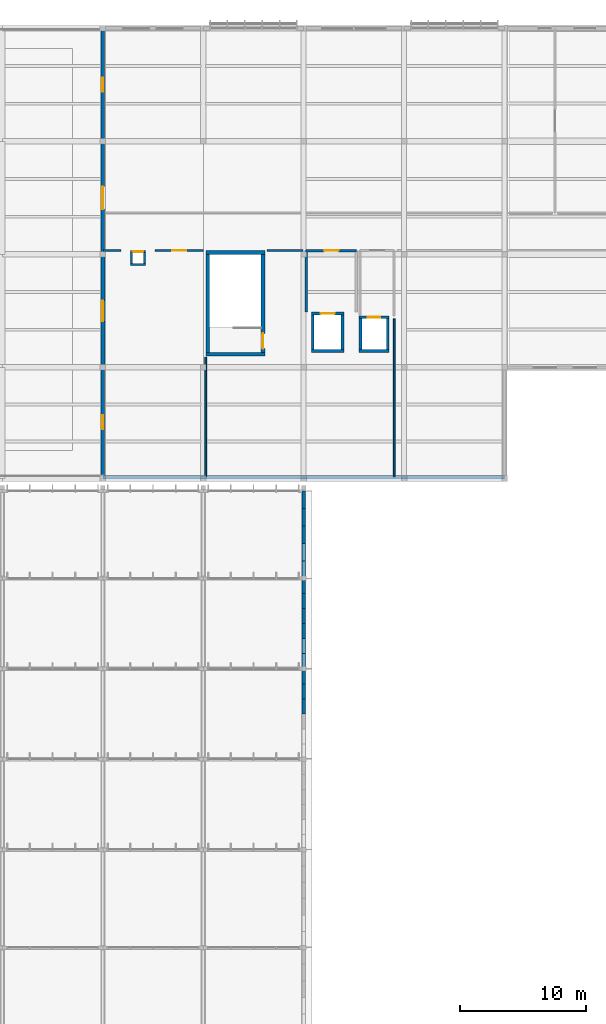
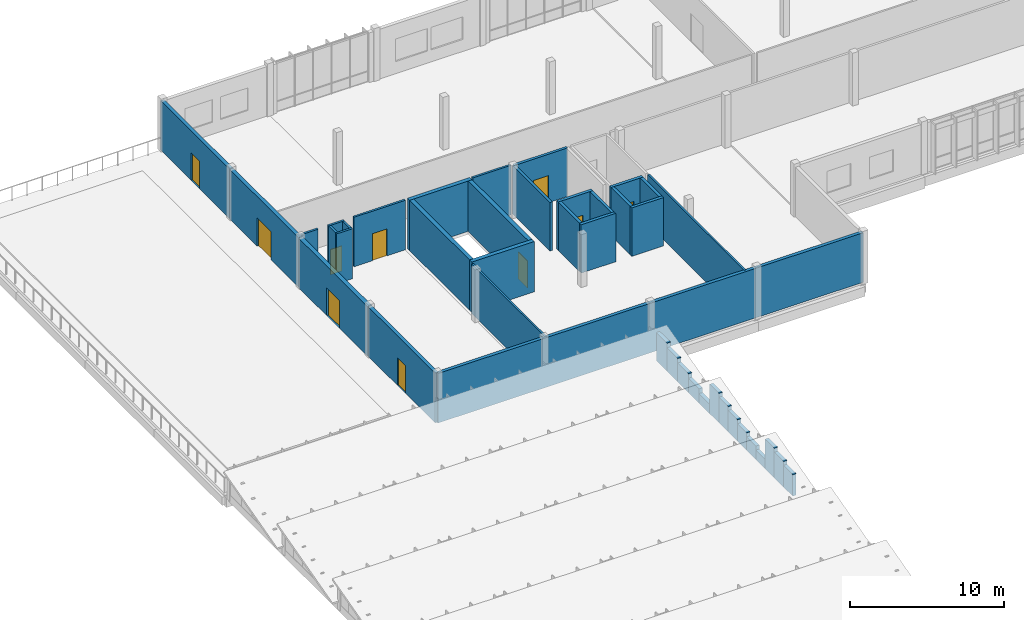
# One storey, part 84 of 94: 42 walls, 10 doors, 10 openings.
"""IFC4 building model written with IfcOpenShell, lengths in metres."""

from ifc_helpers import new_model, si_unit, direction, frame, frame_2d, origin, place, context, subcontext, project, spatial, rectangle, extrude, material, layer, layer_set, type_object, element, fill, save


model = new_model("IFC4")

# Units and contexts
model_context = context("Model", 3, precision=1e-05, world=origin(), true_north=direction((0.0, 1.0)))
body_context = subcontext(model_context, "Body", "Model", "MODEL_VIEW")
ifc_project = project(units=[si_unit("LENGTHUNIT", "METRE"), si_unit("AREAUNIT", "SQUARE_METRE"), si_unit("VOLUMEUNIT", "CUBIC_METRE"), si_unit("PLANEANGLEUNIT", "RADIAN"), si_unit("MASSUNIT", "GRAM", prefix="KILO")], contexts=[model_context])

# Site, building, storey
site_placement = place(None, origin())
site = spatial("IfcSite", under=ifc_project, at=site_placement, CompositionType="ELEMENT")
building_placement = place(site_placement, origin())
building = spatial("IfcBuilding", under=site, at=building_placement, Name="Chiffa Square Polytechnic", CompositionType="ELEMENT")
storey_placement = place(building_placement, frame((0.0, 0.0, 18.0)))
storey = spatial("IfcBuildingStorey", under=building, at=storey_placement, Name="L04", CompositionType="ELEMENT", Elevation=18.0)

# Walls
ifc_material_1 = material(Name="Concrete C40/50", Category="concrete")
ifc_layer_1 = layer(ifc_material_1, 0.300048828125, Name="Concrete C40/50")
ifc_layer_set_1 = layer_set([ifc_layer_1], Name="Concrete C40/50")
wall_type_1 = type_object("IfcWallType", Name="WL-CORE-300", PredefinedType="SHEAR", material=ifc_layer_set_1)
for number, where, z_axis, x_axis, name in (
    (1, (24.199951171875, 104.85009765625, 0.0), (0.0, 0.0, 1.0), (1.0, 0.0, 0.0), "Core or enclosure wall WC-CORE-V5A-L04-SOUTH"),
    (2, (24.199951171875, 112.949951171875, 0.0), (0.0, 0.0, 1.0), (1.0, 0.0, 0.0), "Core or enclosure wall WC-CORE-V5A-L04-NORTH"),
):
    element("IfcWall", number, at=place(storey_placement, frame(where, z_axis=z_axis, x_axis=x_axis)), inside=storey, type_object=wall_type_1, Name=name, PredefinedType="SHEAR", context=body_context, shape_type="SweptSolid", body=[
        extrude(rectangle(XDim=4.699951171875, YDim=0.300048828125, at=frame_2d((2.35009765625, 0.0))), origin(), (0.0, 0.0, 1.0), 4.0),
    ])
wall_1_placement = place(storey_placement, frame((24.35009765625, 105.0, 0.0), z_axis=(0.0, 0.0, 1.0), x_axis=(0.0, 1.0, 0.0)))
element("IfcWall", 3, at=wall_1_placement, inside=storey, type_object=wall_type_1, Name="Core or enclosure wall WC-CORE-V5A-L04-WEST", PredefinedType="SHEAR", context=body_context, shape_type="SweptSolid", body=[
    extrude(rectangle(XDim=7.800048828125, YDim=0.300048828125, at=frame_2d((3.89990234375, 0.0))), origin(), (0.0, 0.0, 1.0), 4.0),
])

# Wall, opening, door
wall_2_placement = place(storey_placement, frame((28.75, 105.0, 0.0), z_axis=(0.0, 0.0, 1.0), x_axis=(0.0, 1.0, 0.0)))
wall_2 = element("IfcWall", 4, at=wall_2_placement, inside=storey, type_object=wall_type_1, Name="Core or enclosure wall WC-CORE-V5A-L04-EAST", PredefinedType="SHEAR", context=body_context, shape_type="SweptSolid", body=[
    extrude(rectangle(XDim=7.800048828125, YDim=0.300048828125, at=frame_2d((3.89990234375, 0.0))), origin(), (0.0, 0.0, 1.0), 4.0),
])
opening_1_placement = place(wall_2_placement, frame((0.300048828125, 0.0, 0.0)))
opening_1 = element("IfcOpeningElement", 5, at=opening_1_placement, cuts=wall_2, Name="Opening DS-L04-036", PredefinedType="OPENING", context=body_context, shape_type="SweptSolid", body=[
    extrude(rectangle(XDim=1.199951171875, YDim=2.14990234375, at=frame_2d((0.60009765625, 1.074951171875))), frame((0.0, 0.16015625, 0.0), z_axis=(0.0, -1.0, 0.0), x_axis=(1.0, 0.0, 0.0)), (0.0, 0.0, 1.0), 0.320068359375),
])
ifc_material_2 = material(Name="Fire-rated painted steel leaf", Category="steel")
door_type_1 = type_object("IfcDoorType", Name="DR-STAIR-1200", OperationType="NOTDEFINED", PredefinedType="DOOR", material=ifc_material_2)
door_1_placement = place(opening_1_placement, origin())
door_1 = element("IfcDoor", 6, at=door_1_placement, inside=storey, type_object=door_type_1, Name="Enclosure door DS-L04-036", OperationType="SINGLE_SWING_RIGHT", OverallHeight=2.14990234375, OverallWidth=1.199951171875, PredefinedType="DOOR", context=body_context, shape_type="SweptSolid", body=[
    extrude(rectangle(XDim=1.199951171875, YDim=2.14990234375, at=frame_2d((0.60009765625, 1.074951171875))), frame((0.0, 0.02490234375, 0.0), z_axis=(0.0, -1.0, 0.0), x_axis=(1.0, 0.0, 0.0)), (0.0, 0.0, 1.0), 0.050048828125),
])
fill(opening_1, door_1)

ifc_material_3 = material(Name="Precast concrete C40/50", Category="concrete")
ifc_layer_2 = layer(ifc_material_3, 0.260009765625, Name="Precast concrete C40/50")
ifc_layer_set_2 = layer_set([ifc_layer_2], Name="Precast concrete C40/50")
wall_type_2 = type_object("IfcWallType", Name="WL-EXT-PC260", PredefinedType="SOLIDWALL", material=ifc_layer_set_2)
wall_3_placement = place(storey_placement, frame((16.0, 130.800048828125, 0.0), z_axis=(0.0, 0.0, 1.0), x_axis=(0.0, -1.0, 0.0)))
wall_3 = element("IfcWall", 7, at=wall_3_placement, inside=storey, type_object=wall_type_2, Name="Exterior wall WE-V5-L04-0386", PredefinedType="SOLIDWALL", context=body_context, shape_type="SweptSolid", body=[
    extrude(rectangle(XDim=9.0, YDim=0.260009765625, at=frame_2d((4.5, 0.0))), origin(), (0.0, 0.0, 1.0), 3.93994140625),
])
opening_2_placement = place(wall_3_placement, frame((3.949951171875, 0.0, 0.0)))
opening_2 = element("IfcOpeningElement", 8, at=opening_2_placement, cuts=wall_3, Name="Opening DT-L04-062", PredefinedType="OPENING", context=body_context, shape_type="SweptSolid", body=[
    extrude(rectangle(XDim=1.10009765625, YDim=2.199951171875, at=frame_2d((0.550048828125, 1.10009765625))), frame((0.0, 0.14013671875, 0.0), z_axis=(0.0, -1.0, 0.0), x_axis=(1.0, 0.0, 0.0)), (0.0, 0.0, 1.0), 0.280029296875),
])
ifc_material_4 = material(Name="Thermally broken aluminium glazed door", Category="aluminium")
door_type_2 = type_object("IfcDoorType", Name="DR-TERR-SGL-1100", OperationType="NOTDEFINED", PredefinedType="DOOR", material=ifc_material_4)
door_2_placement = place(opening_2_placement, origin())
door_2 = element("IfcDoor", 9, at=door_2_placement, inside=storey, type_object=door_type_2, Name="Exterior door DT-L04-062", OperationType="SINGLE_SWING_LEFT", OverallHeight=2.199951171875, OverallWidth=1.10009765625, PredefinedType="DOOR", context=body_context, shape_type="SweptSolid", body=[
    extrude(rectangle(XDim=1.10009765625, YDim=2.199951171875, at=frame_2d((0.550048828125, 1.10009765625))), frame((0.0, 0.02490234375, 0.0), z_axis=(0.0, -1.0, 0.0), x_axis=(1.0, 0.0, 0.0)), (0.0, 0.0, 1.0), 0.050048828125),
])
fill(opening_2, door_2)

wall_4_placement = place(storey_placement, frame((16.0, 103.800048828125, 0.0), z_axis=(0.0, 0.0, 1.0), x_axis=(0.0, -1.0, 0.0)))
wall_4 = element("IfcWall", 10, at=wall_4_placement, inside=storey, type_object=wall_type_2, Name="Exterior wall WE-V5-L04-0389", PredefinedType="SOLIDWALL", context=body_context, shape_type="SweptSolid", body=[
    extrude(rectangle(XDim=8.75, YDim=0.260009765625, at=frame_2d((4.375, 0.0))), origin(), (0.0, 0.0, 1.0), 3.93994140625),
])
opening_3_placement = place(wall_4_placement, frame((3.824951171875, 0.0, 0.0)))
opening_3 = element("IfcOpeningElement", 11, at=opening_3_placement, cuts=wall_4, Name="Opening DT-L04-065", PredefinedType="OPENING", context=body_context, shape_type="SweptSolid", body=[
    extrude(rectangle(XDim=1.10009765625, YDim=2.199951171875, at=frame_2d((0.550048828125, 1.10009765625))), frame((0.0, 0.14013671875, 0.0), z_axis=(0.0, -1.0, 0.0), x_axis=(1.0, 0.0, 0.0)), (0.0, 0.0, 1.0), 0.280029296875),
])
door_3_placement = place(opening_3_placement, origin())
door_3 = element("IfcDoor", 12, at=door_3_placement, inside=storey, type_object=door_type_2, Name="Exterior door DT-L04-065", OperationType="SINGLE_SWING_RIGHT", OverallHeight=2.199951171875, OverallWidth=1.10009765625, PredefinedType="DOOR", context=body_context, shape_type="SweptSolid", body=[
    extrude(rectangle(XDim=1.10009765625, YDim=2.199951171875, at=frame_2d((0.550048828125, 1.10009765625))), frame((0.0, 0.02490234375, 0.0), z_axis=(0.0, -1.0, 0.0), x_axis=(1.0, 0.0, 0.0)), (0.0, 0.0, 1.0), 0.050048828125),
])
fill(opening_3, door_3)

# Walls
wall_5_placement = place(storey_placement, frame((32.0, 76.199951171875, 0.0), z_axis=(0.0, 0.0, 1.0), x_axis=(0.0, 1.0, 0.0)))
element("IfcWall", 13, at=wall_5_placement, inside=storey, type_object=wall_type_2, Name="Stepped gable infill wall WE-V6-SAWE-06-04", PredefinedType="SOLIDWALL", context=body_context, shape_type="SweptSolid", body=[
    extrude(rectangle(XDim=1.199951171875, YDim=0.260009765625, at=frame_2d((0.60009765625, 0.0))), origin(), (0.0, 0.0, 1.0), 1.712890625),
])
wall_6_placement = place(storey_placement, frame((32.0, 77.39990234375, 0.0), z_axis=(0.0, 0.0, 1.0), x_axis=(0.0, 1.0, 0.0)))
element("IfcWall", 14, at=wall_6_placement, inside=storey, type_object=wall_type_2, Name="Stepped gable infill wall WE-V6-SAWE-06-05", PredefinedType="SOLIDWALL", context=body_context, shape_type="SweptSolid", body=[
    extrude(rectangle(XDim=1.2001953125, YDim=0.260009765625, at=frame_2d((0.60009765625, 0.0))), origin(), (0.0, 0.0, 1.0), 2.033935546875),
])
wall_7_placement = place(storey_placement, frame((32.0, 78.60009765625, 0.0), z_axis=(0.0, 0.0, 1.0), x_axis=(0.0, 1.0, 0.0)))
element("IfcWall", 15, at=wall_7_placement, inside=storey, type_object=wall_type_2, Name="Stepped gable infill wall WE-V6-SAWE-06-06", PredefinedType="SOLIDWALL", context=body_context, shape_type="SweptSolid", body=[
    extrude(rectangle(XDim=1.199951171875, YDim=0.260009765625, at=frame_2d((0.60009765625, 0.0))), origin(), (0.0, 0.0, 1.0), 2.35595703125),
])
wall_8_placement = place(storey_placement, frame((32.0, 79.800048828125, 0.0), z_axis=(0.0, 0.0, 1.0), x_axis=(0.0, 1.0, 0.0)))
element("IfcWall", 16, at=wall_8_placement, inside=storey, type_object=wall_type_2, Name="Stepped gable infill wall WE-V6-SAWE-07-01", PredefinedType="SOLIDWALL", context=body_context, shape_type="SweptSolid", body=[
    extrude(rectangle(XDim=1.199951171875, YDim=0.260009765625, at=frame_2d((0.60009765625, 0.0))), origin(), (0.0, 0.0, 1.0), 0.748046875),
])
wall_9_placement = place(storey_placement, frame((32.0, 81.0, 0.0), z_axis=(0.0, 0.0, 1.0), x_axis=(0.0, 1.0, 0.0)))
element("IfcWall", 17, at=wall_9_placement, inside=storey, type_object=wall_type_2, Name="Stepped gable infill wall WE-V6-SAWE-07-02", PredefinedType="SOLIDWALL", context=body_context, shape_type="SweptSolid", body=[
    extrude(rectangle(XDim=1.199951171875, YDim=0.260009765625, at=frame_2d((0.60009765625, 0.0))), origin(), (0.0, 0.0, 1.0), 1.070068359375),
])
wall_10_placement = place(storey_placement, frame((32.0, 82.199951171875, 0.0), z_axis=(0.0, 0.0, 1.0), x_axis=(0.0, 1.0, 0.0)))
element("IfcWall", 18, at=wall_10_placement, inside=storey, type_object=wall_type_2, Name="Stepped gable infill wall WE-V6-SAWE-07-03", PredefinedType="SOLIDWALL", context=body_context, shape_type="SweptSolid", body=[
    extrude(rectangle(XDim=1.199951171875, YDim=0.260009765625, at=frame_2d((0.60009765625, 0.0))), origin(), (0.0, 0.0, 1.0), 1.39111328125),
])
wall_11_placement = place(storey_placement, frame((32.0, 83.39990234375, 0.0), z_axis=(0.0, 0.0, 1.0), x_axis=(0.0, 1.0, 0.0)))
element("IfcWall", 19, at=wall_11_placement, inside=storey, type_object=wall_type_2, Name="Stepped gable infill wall WE-V6-SAWE-07-04", PredefinedType="SOLIDWALL", context=body_context, shape_type="SweptSolid", body=[
    extrude(rectangle(XDim=1.2001953125, YDim=0.260009765625, at=frame_2d((0.60009765625, 0.0))), origin(), (0.0, 0.0, 1.0), 1.712890625),
])
wall_12_placement = place(storey_placement, frame((32.0, 84.60009765625, 0.0), z_axis=(0.0, 0.0, 1.0), x_axis=(0.0, 1.0, 0.0)))
element("IfcWall", 20, at=wall_12_placement, inside=storey, type_object=wall_type_2, Name="Stepped gable infill wall WE-V6-SAWE-07-05", PredefinedType="SOLIDWALL", context=body_context, shape_type="SweptSolid", body=[
    extrude(rectangle(XDim=1.199951171875, YDim=0.260009765625, at=frame_2d((0.60009765625, 0.0))), origin(), (0.0, 0.0, 1.0), 2.033935546875),
])
wall_13_placement = place(storey_placement, frame((32.0, 85.800048828125, 0.0), z_axis=(0.0, 0.0, 1.0), x_axis=(0.0, 1.0, 0.0)))
element("IfcWall", 21, at=wall_13_placement, inside=storey, type_object=wall_type_2, Name="Stepped gable infill wall WE-V6-SAWE-07-06", PredefinedType="SOLIDWALL", context=body_context, shape_type="SweptSolid", body=[
    extrude(rectangle(XDim=1.199951171875, YDim=0.260009765625, at=frame_2d((0.60009765625, 0.0))), origin(), (0.0, 0.0, 1.0), 2.35595703125),
])
wall_14_placement = place(storey_placement, frame((32.0, 87.0, 0.0), z_axis=(0.0, 0.0, 1.0), x_axis=(0.0, 1.0, 0.0)))
element("IfcWall", 22, at=wall_14_placement, inside=storey, type_object=wall_type_2, Name="Stepped gable infill wall WE-V6-SAWE-08-01", PredefinedType="SOLIDWALL", context=body_context, shape_type="SweptSolid", body=[
    extrude(rectangle(XDim=1.389892578125, YDim=0.260009765625, at=frame_2d((0.69482421875, 0.0))), origin(), (0.0, 0.0, 1.0), 0.756103515625),
])
wall_15_placement = place(storey_placement, frame((32.0, 88.389892578125, 0.0), z_axis=(0.0, 0.0, 1.0), x_axis=(0.0, 1.0, 0.0)))
element("IfcWall", 23, at=wall_15_placement, inside=storey, type_object=wall_type_2, Name="Stepped gable infill wall WE-V6-SAWE-08-02", PredefinedType="SOLIDWALL", context=body_context, shape_type="SweptSolid", body=[
    extrude(rectangle(XDim=1.39013671875, YDim=0.260009765625, at=frame_2d((0.695068359375, 0.0))), origin(), (0.0, 0.0, 1.0), 1.1279296875),
])
wall_16_placement = place(storey_placement, frame((32.0, 89.780029296875, 0.0), z_axis=(0.0, 0.0, 1.0), x_axis=(0.0, 1.0, 0.0)))
element("IfcWall", 24, at=wall_16_placement, inside=storey, type_object=wall_type_2, Name="Stepped gable infill wall WE-V6-SAWE-08-03", PredefinedType="SOLIDWALL", context=body_context, shape_type="SweptSolid", body=[
    extrude(rectangle(XDim=1.389892578125, YDim=0.260009765625, at=frame_2d((0.69482421875, 0.0))), origin(), (0.0, 0.0, 1.0), 1.5009765625),
])
wall_17_placement = place(storey_placement, frame((32.0, 91.169921875, 0.0), z_axis=(0.0, 0.0, 1.0), x_axis=(0.0, 1.0, 0.0)))
element("IfcWall", 25, at=wall_17_placement, inside=storey, type_object=wall_type_2, Name="Stepped gable infill wall WE-V6-SAWE-08-04", PredefinedType="SOLIDWALL", context=body_context, shape_type="SweptSolid", body=[
    extrude(rectangle(XDim=1.39013671875, YDim=0.260009765625, at=frame_2d((0.695068359375, 0.0))), origin(), (0.0, 0.0, 1.0), 1.873046875),
])
wall_18_placement = place(storey_placement, frame((32.0, 92.56005859375, 0.0), z_axis=(0.0, 0.0, 1.0), x_axis=(0.0, 1.0, 0.0)))
element("IfcWall", 26, at=wall_18_placement, inside=storey, type_object=wall_type_2, Name="Stepped gable infill wall WE-V6-SAWE-08-05", PredefinedType="SOLIDWALL", context=body_context, shape_type="SweptSolid", body=[
    extrude(rectangle(XDim=1.389892578125, YDim=0.260009765625, at=frame_2d((0.69482421875, 0.0))), origin(), (0.0, 0.0, 1.0), 2.2451171875),
])

# Wall, opening, door
ifc_layer_3 = layer(ifc_material_3, 0.280029296875, Name="Precast concrete C40/50")
ifc_layer_set_3 = layer_set([ifc_layer_3], Name="Precast concrete C40/50")
wall_type_3 = type_object("IfcWallType", Name="WL-EXT-PC280", PredefinedType="SOLIDWALL", material=ifc_layer_set_3)
wall_19_placement = place(storey_placement, frame((16.0, 121.800048828125, 0.0), z_axis=(0.0, 0.0, 1.0), x_axis=(0.0, -1.0, 0.0)))
wall_19 = element("IfcWall", 27, at=wall_19_placement, inside=storey, type_object=wall_type_3, Name="Exterior wall WE-V5-L04-0387", PredefinedType="SOLIDWALL", context=body_context, shape_type="SweptSolid", body=[
    extrude(rectangle(XDim=9.0, YDim=0.280029296875, at=frame_2d((4.5, 0.0))), origin(), (0.0, 0.0, 1.0), 3.93994140625),
])
opening_4_placement = place(wall_19_placement, frame((3.60009765625, 0.0, 0.0)))
opening_4 = element("IfcOpeningElement", 28, at=opening_4_placement, cuts=wall_19, Name="Opening DT-L04-063", PredefinedType="OPENING", context=body_context, shape_type="SweptSolid", body=[
    extrude(rectangle(XDim=1.800048828125, YDim=2.25, at=frame_2d((0.89990234375, 1.125))), frame((0.0, 0.14990234375, 0.0), z_axis=(0.0, -1.0, 0.0), x_axis=(1.0, 0.0, 0.0)), (0.0, 0.0, 1.0), 0.300048828125),
])
door_type_3 = type_object("IfcDoorType", Name="DR-TERR-DBL-1800", OperationType="DOUBLE_DOOR_SINGLE_SWING", PredefinedType="DOOR", material=ifc_material_4)
door_4_placement = place(opening_4_placement, origin())
door_4 = element("IfcDoor", 29, at=door_4_placement, inside=storey, type_object=door_type_3, Name="Exterior door DT-L04-063", OperationType="DOUBLE_DOOR_SINGLE_SWING", OverallHeight=2.25, OverallWidth=1.800048828125, PredefinedType="DOOR", context=body_context, shape_type="SweptSolid", body=[
    extrude(rectangle(XDim=1.800048828125, YDim=2.25, at=frame_2d((0.89990234375, 1.125))), frame((0.0, 0.02490234375, 0.0), z_axis=(0.0, -1.0, 0.0), x_axis=(1.0, 0.0, 0.0)), (0.0, 0.0, 1.0), 0.050048828125),
])
fill(opening_4, door_4)

ifc_layer_4 = layer(ifc_material_3, 0.320068359375, Name="Precast concrete C40/50")
ifc_layer_set_4 = layer_set([ifc_layer_4], Name="Precast concrete C40/50")
wall_type_4 = type_object("IfcWallType", Name="WL-EXT-PC320", PredefinedType="SOLIDWALL", material=ifc_layer_set_4)
wall_20_placement = place(storey_placement, frame((16.0, 112.800048828125, 0.0), z_axis=(0.0, 0.0, 1.0), x_axis=(0.0, -1.0, 0.0)))
wall_20 = element("IfcWall", 30, at=wall_20_placement, inside=storey, type_object=wall_type_4, Name="Exterior wall WE-V5-L04-0388", PredefinedType="SOLIDWALL", context=body_context, shape_type="SweptSolid", body=[
    extrude(rectangle(XDim=9.0, YDim=0.320068359375, at=frame_2d((4.5, 0.0))), origin(), (0.0, 0.0, 1.0), 3.93994140625),
])
opening_5_placement = place(wall_20_placement, frame((3.675048828125, 0.0, 0.0)))
opening_5 = element("IfcOpeningElement", 31, at=opening_5_placement, cuts=wall_20, Name="Opening DT-L04-064", PredefinedType="OPENING", context=body_context, shape_type="SweptSolid", body=[
    extrude(rectangle(XDim=1.64990234375, YDim=2.199951171875, at=frame_2d((0.824951171875, 1.10009765625))), frame((0.0, 0.169921875, 0.0), z_axis=(0.0, -1.0, 0.0), x_axis=(1.0, 0.0, 0.0)), (0.0, 0.0, 1.0), 0.340087890625),
])
door_type_4 = type_object("IfcDoorType", Name="DR-TERR-DBL-1650", OperationType="DOUBLE_DOOR_SINGLE_SWING", PredefinedType="DOOR", material=ifc_material_4)
door_5_placement = place(opening_5_placement, origin())
door_5 = element("IfcDoor", 32, at=door_5_placement, inside=storey, type_object=door_type_4, Name="Exterior door DT-L04-064", OperationType="DOUBLE_DOOR_SINGLE_SWING", OverallHeight=2.199951171875, OverallWidth=1.64990234375, PredefinedType="DOOR", context=body_context, shape_type="SweptSolid", body=[
    extrude(rectangle(XDim=1.64990234375, YDim=2.199951171875, at=frame_2d((0.824951171875, 1.10009765625))), frame((0.0, 0.02490234375, 0.0), z_axis=(0.0, -1.0, 0.0), x_axis=(1.0, 0.0, 0.0)), (0.0, 0.0, 1.0), 0.050048828125),
])
fill(opening_5, door_5)

# Walls
ifc_material_5 = material(Name="Gypsum board on steel stud", Category="steel")
ifc_layer_5 = layer(ifc_material_5, 0.135009765625, Name="Gypsum board on steel stud")
ifc_layer_set_5 = layer_set([ifc_layer_5], Name="Gypsum board on steel stud")
wall_type_5 = type_object("IfcWallType", Name="WL-PART-135", PredefinedType="PARTITIONING", material=ifc_layer_set_5)
wall_21_placement = place(storey_placement, frame((24.199951171875, 95.10498046875, 0.0), z_axis=(0.0, 0.0, 1.0), x_axis=(0.0, 1.0, 0.0)))
element("IfcWall", 33, at=wall_21_placement, inside=storey, type_object=wall_type_5, Name="Interior partition WP-V5-L04-0628", PredefinedType="PARTITIONING", context=body_context, shape_type="SweptSolid", body=[
    extrude(rectangle(XDim=9.505126953125, YDim=0.135009765625, at=frame_2d((4.75244140625, 0.0))), origin(), (0.0, 0.0, 1.0), 3.93994140625),
])
wall_22_placement = place(storey_placement, frame((39.199951171875, 95.10498046875, 0.0), z_axis=(0.0, 0.0, 1.0), x_axis=(0.0, 1.0, 0.0)))
element("IfcWall", 34, at=wall_22_placement, inside=storey, type_object=wall_type_5, Name="Interior partition WP-V5-L04-0658", PredefinedType="PARTITIONING", context=body_context, shape_type="SweptSolid", body=[
    extrude(rectangle(XDim=12.554931640625, YDim=0.135009765625, at=frame_2d((6.27734375, 0.0))), origin(), (0.0, 0.0, 1.0), 3.93994140625),
])

# Wall, opening, door
ifc_material_6 = material(Name="Autoclaved aerated concrete blockwork", Category="masonry")
ifc_layer_6 = layer(ifc_material_6, 0.199951171875, Name="Autoclaved aerated concrete blockwork")
ifc_layer_set_6 = layer_set([ifc_layer_6], Name="Autoclaved aerated concrete blockwork")
wall_type_6 = type_object("IfcWallType", Name="WL-PART-EI120-200", PredefinedType="PARTITIONING", material=ifc_layer_set_6)
wall_23_placement = place(storey_placement, frame((32.199951171875, 113.10009765625, 0.0), z_axis=(0.0, 0.0, 1.0), x_axis=(1.0, 0.0, 0.0)))
wall_23 = element("IfcWall", 35, at=wall_23_placement, inside=storey, type_object=wall_type_6, Name="Lift lobby rated enclosure WP-LOB-LF-V5-L04-NORTH", PredefinedType="PARTITIONING", context=body_context, shape_type="SweptSolid", body=[
    extrude(rectangle(XDim=4.0, YDim=0.199951171875, at=frame_2d((2.0, 0.0))), origin(), (0.0, 0.0, 1.0), 3.85009765625),
])
opening_6_placement = place(wall_23_placement, frame((1.425048828125, 0.0, 0.0)))
opening_6 = element("IfcOpeningElement", 36, at=opening_6_placement, cuts=wall_23, Name="Opening DI-L04-037", PredefinedType="OPENING", context=body_context, shape_type="SweptSolid", body=[
    extrude(rectangle(XDim=1.14990234375, YDim=2.14990234375, at=frame_2d((0.574951171875, 1.074951171875))), frame((0.0, 0.10986328125, 0.0), z_axis=(0.0, -1.0, 0.0), x_axis=(1.0, 0.0, 0.0)), (0.0, 0.0, 1.0), 0.219970703125),
])
ifc_material_7 = material(Name="Fire-rated steel door leaf", Category="steel")
door_type_5 = type_object("IfcDoorType", Name="DR-LOBBY-FD120", OperationType="NOTDEFINED", PredefinedType="DOOR", material=ifc_material_7)
door_6_placement = place(opening_6_placement, origin())
door_6 = element("IfcDoor", 37, at=door_6_placement, inside=storey, type_object=door_type_5, Name="Lift lobby fire door DI-L04-037", OperationType="SINGLE_SWING_RIGHT", OverallHeight=2.14990234375, OverallWidth=1.14990234375, PredefinedType="DOOR", context=body_context, shape_type="SweptSolid", body=[
    extrude(rectangle(XDim=1.14990234375, YDim=2.14990234375, at=frame_2d((0.574951171875, 1.074951171875))), frame((0.0, 0.02490234375, 0.0), z_axis=(0.0, -1.0, 0.0), x_axis=(1.0, 0.0, 0.0)), (0.0, 0.0, 1.0), 0.050048828125),
])
fill(opening_6, door_6)

# Walls
wall_24_placement = place(storey_placement, frame((32.199951171875, 108.199951171875, 0.0), z_axis=(0.0, 0.0, 1.0), x_axis=(0.0, 1.0, 0.0)))
element("IfcWall", 38, at=wall_24_placement, inside=storey, type_object=wall_type_6, Name="Lift lobby rated enclosure WP-LOB-LF-V5-L04-WEST", PredefinedType="PARTITIONING", context=body_context, shape_type="SweptSolid", body=[
    extrude(rectangle(XDim=4.900146484375, YDim=0.199951171875, at=frame_2d((2.4501953125, 0.0))), origin(), (0.0, 0.0, 1.0), 3.85009765625),
])
ifc_material_8 = material(Name="Gypsum board on acoustic steel stud", Category="steel")
ifc_layer_7 = layer(ifc_material_8, 0.159912109375, Name="Gypsum board on acoustic steel stud")
ifc_layer_set_7 = layer_set([ifc_layer_7], Name="Gypsum board on acoustic steel stud")
wall_type_7 = type_object("IfcWallType", Name="WL-PART-EI60-160", PredefinedType="PARTITIONING", material=ifc_layer_set_7)
wall_25_placement = place(storey_placement, frame((18.199951171875, 111.97998046875, 0.0), z_axis=(0.0, 0.0, 1.0), x_axis=(1.0, 0.0, 0.0)))
element("IfcWall", 39, at=wall_25_placement, inside=storey, type_object=wall_type_7, Name="Core or enclosure wall WP-RSR-V5-W-L04-SOUTH", PredefinedType="PARTITIONING", context=body_context, shape_type="SweptSolid", body=[
    extrude(rectangle(XDim=1.199951171875, YDim=0.159912109375, at=frame_2d((0.60009765625, 0.0))), origin(), (0.0, 0.0, 1.0), 3.97998046875),
])

# Wall, opening, door
wall_26_placement = place(storey_placement, frame((18.199951171875, 113.02001953125, 0.0), z_axis=(0.0, 0.0, 1.0), x_axis=(1.0, 0.0, 0.0)))
wall_26 = element("IfcWall", 40, at=wall_26_placement, inside=storey, type_object=wall_type_7, Name="Core or enclosure wall WP-RSR-V5-W-L04-NORTH", PredefinedType="PARTITIONING", context=body_context, shape_type="SweptSolid", body=[
    extrude(rectangle(XDim=1.199951171875, YDim=0.159912109375, at=frame_2d((0.60009765625, 0.0))), origin(), (0.0, 0.0, 1.0), 3.97998046875),
])
opening_7_placement = place(wall_26_placement, frame((0.175048828125, 0.0, 0.0)))
opening_7 = element("IfcOpeningElement", 41, at=opening_7_placement, cuts=wall_26, Name="Opening DI-L04-R06", PredefinedType="OPENING", context=body_context, shape_type="SweptSolid", body=[
    extrude(rectangle(XDim=0.85009765625, YDim=2.02001953125, at=frame_2d((0.425048828125, 1.010009765625))), frame((0.0, 0.08984375, 0.0), z_axis=(0.0, -1.0, 0.0), x_axis=(1.0, 0.0, 0.0)), (0.0, 0.0, 1.0), 0.179931640625),
])
ifc_material_9 = material(Name="Fire-rated steel riser access door", Category="steel")
door_type_6 = type_object("IfcDoorType", Name="DR-RISER-850", OperationType="NOTDEFINED", PredefinedType="DOOR", material=ifc_material_9)
door_7_placement = place(opening_7_placement, origin())
door_7 = element("IfcDoor", 42, at=door_7_placement, inside=storey, type_object=door_type_6, Name="Enclosure door DI-L04-R06", OperationType="SINGLE_SWING_RIGHT", OverallHeight=2.02001953125, OverallWidth=0.85009765625, PredefinedType="DOOR", context=body_context, shape_type="SweptSolid", body=[
    extrude(rectangle(XDim=0.85009765625, YDim=2.02001953125, at=frame_2d((0.425048828125, 1.010009765625))), frame((0.0, 0.02490234375, 0.0), z_axis=(0.0, -1.0, 0.0), x_axis=(1.0, 0.0, 0.0)), (0.0, 0.0, 1.0), 0.050048828125),
])
fill(opening_7, door_7)

# Walls
for number, where, z_axis, x_axis, name in (
    (43, (18.280029296875, 112.06005859375, 0.0), (0.0, 0.0, 1.0), (0.0, 1.0, 0.0), "Core or enclosure wall WP-RSR-V5-W-L04-WEST"),
    (44, (19.320068359375, 112.06005859375, 0.0), (0.0, 0.0, 1.0), (0.0, 1.0, 0.0), "Core or enclosure wall WP-RSR-V5-W-L04-EAST"),
):
    element("IfcWall", number, at=place(storey_placement, frame(where, z_axis=z_axis, x_axis=x_axis)), inside=storey, type_object=wall_type_7, Name=name, PredefinedType="PARTITIONING", context=body_context, shape_type="SweptSolid", body=[
        extrude(rectangle(XDim=0.8798828125, YDim=0.159912109375, at=frame_2d((0.43994140625, 0.0))), origin(), (0.0, 0.0, 1.0), 3.97998046875),
    ])

# Wall, opening, door
wall_27_placement = place(storey_placement, frame((20.14599609375, 113.10009765625, 0.0), z_axis=(0.0, 0.0, 1.0), x_axis=(1.0, 0.0, 0.0)))
wall_27 = element("IfcWall", 45, at=wall_27_placement, inside=storey, type_object=wall_type_7, Name="Interior partition WP-V5-L04-0626", PredefinedType="PARTITIONING", context=body_context, shape_type="SweptSolid", body=[
    extrude(rectangle(XDim=3.866943359375, YDim=0.159912109375, at=frame_2d((1.93359375, 0.0))), origin(), (0.0, 0.0, 1.0), 3.93994140625),
])
opening_8_placement = place(wall_27_placement, frame((1.384033203125, 0.0, 0.0)))
opening_8 = element("IfcOpeningElement", 46, at=opening_8_placement, cuts=wall_27, Name="Opening DI-L04-223", PredefinedType="OPENING", context=body_context, shape_type="SweptSolid", body=[
    extrude(rectangle(XDim=1.10009765625, YDim=2.14990234375, at=frame_2d((0.550048828125, 1.074951171875))), frame((0.0, 0.08984375, 0.0), z_axis=(0.0, -1.0, 0.0), x_axis=(1.0, 0.0, 0.0)), (0.0, 0.0, 1.0), 0.179931640625),
])
ifc_material_10 = material(Name="Solid core ash veneer door")
door_type_7 = type_object("IfcDoorType", Name="DR-INT-1100", OperationType="NOTDEFINED", PredefinedType="DOOR", material=ifc_material_10)
door_8_placement = place(opening_8_placement, origin())
door_8 = element("IfcDoor", 47, at=door_8_placement, inside=storey, type_object=door_type_7, Name="Interior room door DI-L04-223", OperationType="SINGLE_SWING_LEFT", OverallHeight=2.14990234375, OverallWidth=1.10009765625, PredefinedType="DOOR", context=body_context, shape_type="SweptSolid", body=[
    extrude(rectangle(XDim=1.10009765625, YDim=2.14990234375, at=frame_2d((0.550048828125, 1.074951171875))), frame((0.0, 0.02490234375, 0.0), z_axis=(0.0, -1.0, 0.0), x_axis=(1.0, 0.0, 0.0)), (0.0, 0.0, 1.0), 0.050048828125),
])
fill(opening_8, door_8)

# Walls
wall_28_placement = place(storey_placement, frame((16.054931640625, 113.10009765625, 0.0), z_axis=(0.0, 0.0, 1.0), x_axis=(1.0, 0.0, 0.0)))
element("IfcWall", 48, at=wall_28_placement, inside=storey, type_object=wall_type_7, Name="Interior partition WP-V5-L04-0627", PredefinedType="PARTITIONING", context=body_context, shape_type="SweptSolid", body=[
    extrude(rectangle(XDim=1.399169921875, YDim=0.159912109375, at=frame_2d((0.69970703125, 0.0))), origin(), (0.0, 0.0, 1.0), 3.93994140625),
])
wall_29_placement = place(storey_placement, frame((29.0869140625, 113.10009765625, 0.0), z_axis=(0.0, 0.0, 1.0), x_axis=(1.0, 0.0, 0.0)))
element("IfcWall", 49, at=wall_29_placement, inside=storey, type_object=wall_type_7, Name="Interior partition WP-V5-L04-0668", PredefinedType="PARTITIONING", context=body_context, shape_type="SweptSolid", body=[
    extrude(rectangle(XDim=2.873046875, YDim=0.159912109375, at=frame_2d((1.4365234375, 0.0))), origin(), (0.0, 0.0, 1.0), 3.93994140625),
])
ifc_material_11 = material(Name="Concrete C35/45", Category="concrete")
ifc_layer_8 = layer(ifc_material_11, 0.219970703125, Name="Concrete C35/45")
ifc_layer_set_8 = layer_set([ifc_layer_8], Name="Concrete C35/45")
wall_type_8 = type_object("IfcWallType", Name="WL-SHAFT-220", PredefinedType="SHEAR", material=ifc_layer_set_8)
wall_30_placement = place(storey_placement, frame((32.60009765625, 105.110107421875, 0.0), z_axis=(0.0, 0.0, 1.0), x_axis=(1.0, 0.0, 0.0)))
element("IfcWall", 50, at=wall_30_placement, inside=storey, type_object=wall_type_8, Name="Core or enclosure wall WS-LF-V5-L04-SOUTH", PredefinedType="SHEAR", context=body_context, shape_type="SweptSolid", body=[
    extrude(rectangle(XDim=2.599853515625, YDim=0.219970703125, at=frame_2d((1.2998046875, 0.0))), origin(), (0.0, 0.0, 1.0), 3.85009765625),
])

# Wall, opening, door
wall_31_placement = place(storey_placement, frame((32.60009765625, 108.090087890625, 0.0), z_axis=(0.0, 0.0, 1.0), x_axis=(1.0, 0.0, 0.0)))
wall_31 = element("IfcWall", 51, at=wall_31_placement, inside=storey, type_object=wall_type_8, Name="Core or enclosure wall WS-LF-V5-L04-NORTH", PredefinedType="SHEAR", context=body_context, shape_type="SweptSolid", body=[
    extrude(rectangle(XDim=2.599853515625, YDim=0.219970703125, at=frame_2d((1.2998046875, 0.0))), origin(), (0.0, 0.0, 1.0), 3.85009765625),
])
opening_9_placement = place(wall_31_placement, frame((0.75, 0.0, 0.0)))
opening_9 = element("IfcOpeningElement", 52, at=opening_9_placement, cuts=wall_31, Name="Opening LD-LF-V5-L04", PredefinedType="OPENING", context=body_context, shape_type="SweptSolid", body=[
    extrude(rectangle(XDim=1.10009765625, YDim=2.14990234375, at=frame_2d((0.550048828125, 1.074951171875))), frame((0.0, 0.1201171875, 0.0), z_axis=(0.0, -1.0, 0.0), x_axis=(1.0, 0.0, 0.0)), (0.0, 0.0, 1.0), 0.239990234375),
])
ifc_material_12 = material(Name="Brushed stainless steel sliding landing door", Category="steel")
door_type_8 = type_object("IfcDoorType", Name="DR-LIFT-1100", OperationType="SLIDING_TO_LEFT", PredefinedType="DOOR", material=ifc_material_12)
door_9_placement = place(opening_9_placement, origin())
door_9 = element("IfcDoor", 53, at=door_9_placement, inside=storey, type_object=door_type_8, Name="Enclosure door LD-LF-V5-L04", OperationType="SLIDING_TO_LEFT", OverallHeight=2.14990234375, OverallWidth=1.10009765625, PredefinedType="DOOR", context=body_context, shape_type="SweptSolid", body=[
    extrude(rectangle(XDim=1.10009765625, YDim=2.14990234375, at=frame_2d((0.550048828125, 1.074951171875))), frame((0.0, 0.02490234375, 0.0), z_axis=(0.0, -1.0, 0.0), x_axis=(1.0, 0.0, 0.0)), (0.0, 0.0, 1.0), 0.050048828125),
])
fill(opening_9, door_9)

# Walls
for number, where, z_axis, x_axis, name in (
    (54, (32.7099609375, 105.219970703125, 0.0), (0.0, 0.0, 1.0), (0.0, 1.0, 0.0), "Core or enclosure wall WS-LF-V5-L04-WEST"),
    (55, (35.090087890625, 105.219970703125, 0.0), (0.0, 0.0, 1.0), (0.0, 1.0, 0.0), "Core or enclosure wall WS-LF-V5-L04-EAST"),
):
    element("IfcWall", number, at=place(storey_placement, frame(where, z_axis=z_axis, x_axis=x_axis)), inside=storey, type_object=wall_type_8, Name=name, PredefinedType="SHEAR", context=body_context, shape_type="SweptSolid", body=[
        extrude(rectangle(XDim=2.760009765625, YDim=0.219970703125, at=frame_2d((1.3798828125, 0.0))), origin(), (0.0, 0.0, 1.0), 3.85009765625),
    ])
wall_32_placement = place(storey_placement, frame((36.39990234375, 105.110107421875, 0.0), z_axis=(0.0, 0.0, 1.0), x_axis=(1.0, 0.0, 0.0)))
element("IfcWall", 56, at=wall_32_placement, inside=storey, type_object=wall_type_8, Name="Core or enclosure wall WS-LP-V5A-L04-SOUTH", PredefinedType="SHEAR", context=body_context, shape_type="SweptSolid", body=[
    extrude(rectangle(XDim=2.400146484375, YDim=0.219970703125, at=frame_2d((1.2001953125, 0.0))), origin(), (0.0, 0.0, 1.0), 3.85009765625),
])

# Wall, opening, door
wall_33_placement = place(storey_placement, frame((36.39990234375, 107.7900390625, 0.0), z_axis=(0.0, 0.0, 1.0), x_axis=(1.0, 0.0, 0.0)))
wall_33 = element("IfcWall", 57, at=wall_33_placement, inside=storey, type_object=wall_type_8, Name="Core or enclosure wall WS-LP-V5A-L04-NORTH", PredefinedType="SHEAR", context=body_context, shape_type="SweptSolid", body=[
    extrude(rectangle(XDim=2.400146484375, YDim=0.219970703125, at=frame_2d((1.2001953125, 0.0))), origin(), (0.0, 0.0, 1.0), 3.85009765625),
])
opening_10_placement = place(wall_33_placement, frame((0.699951171875, 0.0, 0.0)))
opening_10 = element("IfcOpeningElement", 58, at=opening_10_placement, cuts=wall_33, Name="Opening LD-LP-V5A-L04", PredefinedType="OPENING", context=body_context, shape_type="SweptSolid", body=[
    extrude(rectangle(XDim=1.0, YDim=2.14990234375, at=frame_2d((0.5, 1.074951171875))), frame((0.0, 0.1201171875, 0.0), z_axis=(0.0, -1.0, 0.0), x_axis=(1.0, 0.0, 0.0)), (0.0, 0.0, 1.0), 0.239990234375),
])
door_type_9 = type_object("IfcDoorType", Name="DR-LIFT-1000", OperationType="SLIDING_TO_RIGHT", PredefinedType="DOOR", material=ifc_material_12)
door_10_placement = place(opening_10_placement, origin())
door_10 = element("IfcDoor", 59, at=door_10_placement, inside=storey, type_object=door_type_9, Name="Enclosure door LD-LP-V5A-L04", OperationType="SLIDING_TO_RIGHT", OverallHeight=2.14990234375, OverallWidth=1.0, PredefinedType="DOOR", context=body_context, shape_type="SweptSolid", body=[
    extrude(rectangle(XDim=1.0, YDim=2.14990234375, at=frame_2d((0.5, 1.074951171875))), frame((0.0, 0.02490234375, 0.0), z_axis=(0.0, -1.0, 0.0), x_axis=(1.0, 0.0, 0.0)), (0.0, 0.0, 1.0), 0.050048828125),
])
fill(opening_10, door_10)

# Walls
for number, where, z_axis, x_axis, name in (
    (60, (36.510009765625, 105.219970703125, 0.0), (0.0, 0.0, 1.0), (0.0, 1.0, 0.0), "Core or enclosure wall WS-LP-V5A-L04-WEST"),
    (61, (38.68994140625, 105.219970703125, 0.0), (0.0, 0.0, 1.0), (0.0, 1.0, 0.0), "Core or enclosure wall WS-LP-V5A-L04-EAST"),
):
    element("IfcWall", number, at=place(storey_placement, frame(where, z_axis=z_axis, x_axis=x_axis)), inside=storey, type_object=wall_type_8, Name=name, PredefinedType="SHEAR", context=body_context, shape_type="SweptSolid", body=[
        extrude(rectangle(XDim=2.4599609375, YDim=0.219970703125, at=frame_2d((1.22998046875, 0.0))), origin(), (0.0, 0.0, 1.0), 3.85009765625),
    ])
ifc_layer_9 = layer(ifc_material_11, 0.25, Name="Concrete C35/45")
ifc_layer_set_9 = layer_set([ifc_layer_9], Name="Concrete C35/45")
wall_type_9 = type_object("IfcWallType", Name="WL-SJ-250", PredefinedType="SHEAR", material=ifc_layer_set_9)
wall_34_placement = place(storey_placement, frame((16.0, 95.050048828125, 0.0), z_axis=(0.0, 0.0, 1.0), x_axis=(1.0, 0.0, 0.0)))
element("IfcWall", 62, at=wall_34_placement, inside=storey, type_object=wall_type_9, Name="Seismic-joint fire wall WE-V5-L04-0363", PredefinedType="SHEAR", context=body_context, shape_type="SweptSolid", body=[
    extrude(rectangle(XDim=32.0, YDim=0.25, at=frame_2d((16.0, 0.0))), origin(), (0.0, 0.0, 1.0), 3.93994140625),
])

save(model, "model.ifc")
